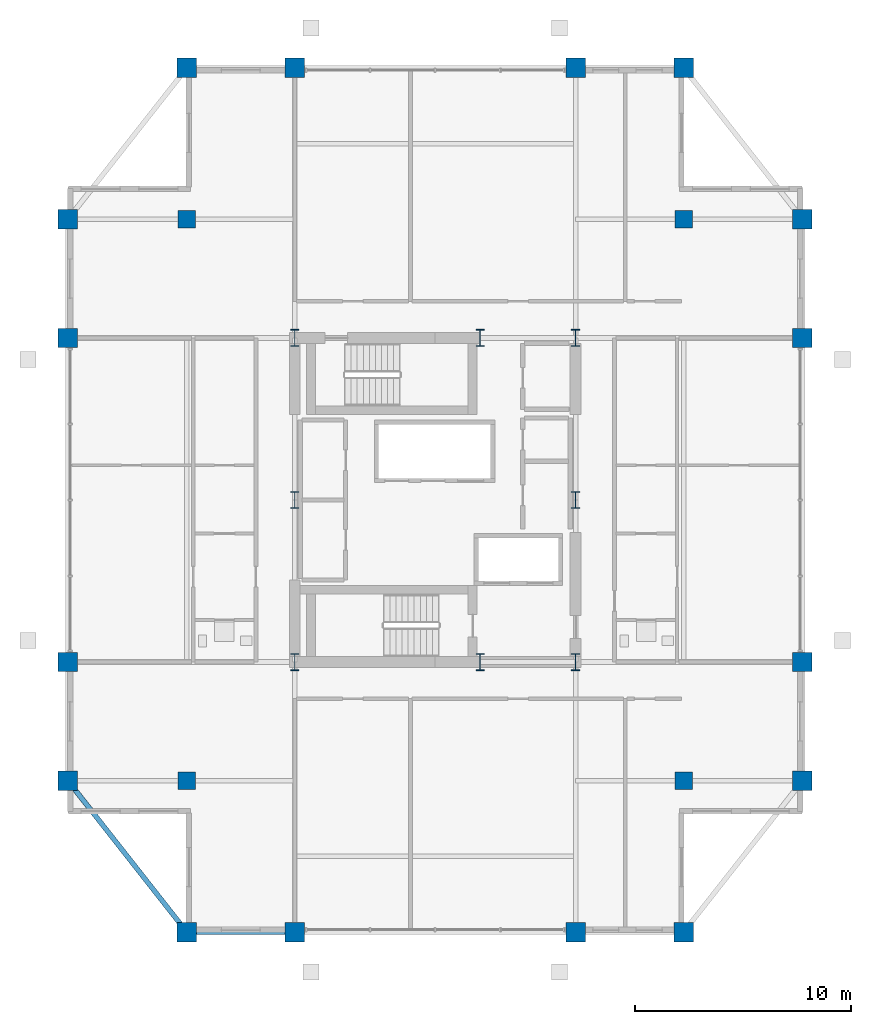
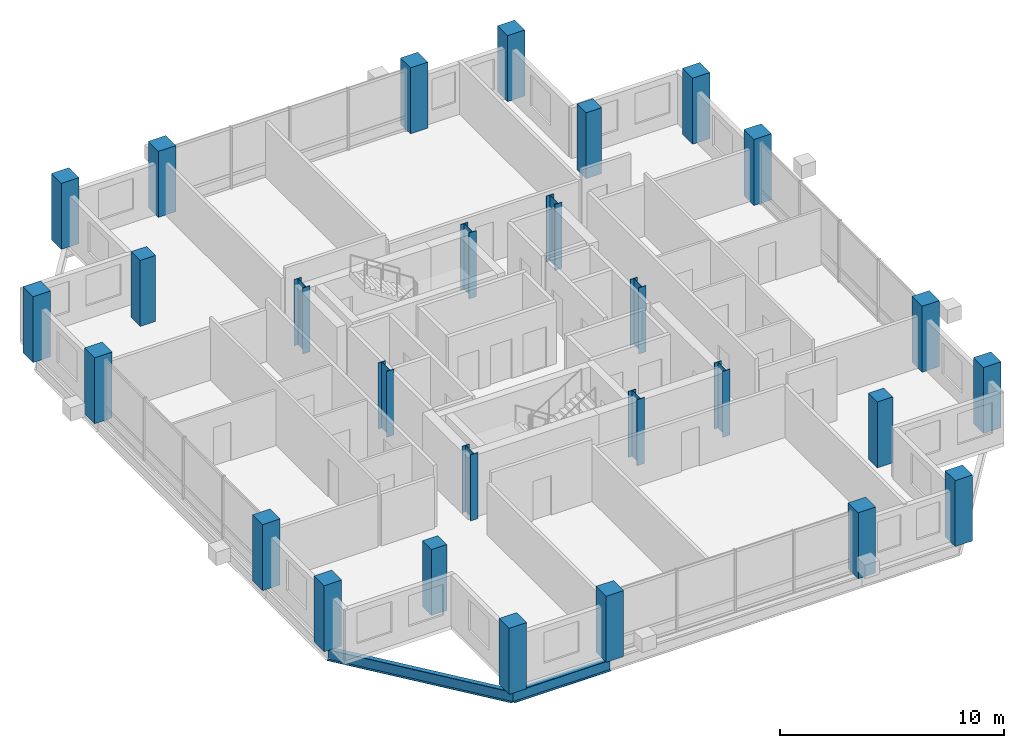
# One storey, part 1 of 21: 28 columns, 2 beams.
"""IFC4 building model written with IfcOpenShell, lengths in metres."""

from ifc_helpers import new_model, si_unit, direction, frame, origin, origin_2d, place, context, subcontext, project, spatial, rectangle, i_section, extrude, material, material_profile, profile_set, type_object, element, save


model = new_model("IFC4")

# Units and contexts
model_context = context("Model", 3, precision=1e-05, world=origin(), true_north=direction((0.0, 1.0)))
body_context = subcontext(model_context, "Body", "Model", "MODEL_VIEW")
ifc_project = project(units=[si_unit("LENGTHUNIT", "METRE"), si_unit("AREAUNIT", "SQUARE_METRE"), si_unit("VOLUMEUNIT", "CUBIC_METRE"), si_unit("PLANEANGLEUNIT", "RADIAN"), si_unit("MASSUNIT", "GRAM", prefix="KILO")], contexts=[model_context])

# Site, building, storey
site_placement = place(None, origin())
site = spatial("IfcSite", under=ifc_project, at=site_placement, CompositionType="ELEMENT")
building_placement = place(site_placement, origin())
building = spatial("IfcBuilding", under=site, at=building_placement, Name="Barlavira Tower and Art Museum", CompositionType="ELEMENT")
storey_placement = place(building_placement, frame((0.0, 0.0, 287.10009765625)))
storey = spatial("IfcBuildingStorey", under=building, at=storey_placement, Name="L75", CompositionType="ELEMENT", Elevation=287.10009765625)

# Columns
ifc_material_1 = material(Name="Steel S355", Category="steel")
ifc_material_profile_1 = material_profile(ifc_material_1, i_section(OverallWidth=0.382080078125, OverallDepth=0.785888671875, WebThickness=0.02001953125, FlangeThickness=0.032958984375, at=origin_2d()), Name="W760x314.0")
ifc_profile_set_1 = profile_set([ifc_material_profile_1], Name="Steel S355")
column_type_1 = type_object("IfcColumnType", Name="Core Composite Column W760x314 Steel S355", PredefinedType="COLUMN", material=ifc_profile_set_1)
for number, where, z_axis, x_axis, name in (
    (1, (-6.5, -7.5, 0.0), (0.0, 0.0, 1.0), (1.0, 0.0, 0.0), "L75 Column CC-L75-C1"),
    (2, (2.080078125, -7.5, 0.0), (0.0, 0.0, 1.0), (1.0, 0.0, 0.0), "L75 Column CC-L75-C2"),
    (3, (6.5, -7.5, 0.0), (0.0, 0.0, 1.0), (1.0, 0.0, 0.0), "L75 Column CC-L75-C3"),
    (4, (-6.5, 0.0, 0.0), (0.0, 0.0, 1.0), (1.0, 0.0, 0.0), "L75 Column CC-L75-C4"),
    (5, (6.5, 0.0, 0.0), (0.0, 0.0, 1.0), (1.0, 0.0, 0.0), "L75 Column CC-L75-C5"),
    (6, (-6.5, 7.5, 0.0), (0.0, 0.0, 1.0), (1.0, 0.0, 0.0), "L75 Column CC-L75-C6"),
    (7, (2.080078125, 7.5, 0.0), (0.0, 0.0, 1.0), (1.0, 0.0, 0.0), "L75 Column CC-L75-C7"),
    (8, (6.5, 7.5, 0.0), (0.0, 0.0, 1.0), (1.0, 0.0, 0.0), "L75 Column CC-L75-C8"),
):
    element("IfcColumn", number, at=place(storey_placement, frame(where, z_axis=z_axis, x_axis=x_axis)), inside=storey, type_object=column_type_1, Name=name, PredefinedType="COLUMN", context=body_context, shape_type="SweptSolid", body=[
        extrude(i_section(OverallWidth=0.382080078125, OverallDepth=0.785888671875, WebThickness=0.02001953125, FlangeThickness=0.032958984375, at=origin_2d()), origin(), (0.0, 0.0, 1.0), 3.599853515625),
    ])
ifc_material_2 = material(Name="Concrete C50", Category="concrete")
ifc_material_profile_2 = material_profile(ifc_material_2, rectangle(XDim=0.89990234375, YDim=0.89990234375, at=origin_2d()), Name="RC-COL 900x900")
ifc_profile_set_2 = profile_set([ifc_material_profile_2], Name="Concrete C50")
column_type_2 = type_object("IfcColumnType", Name="Perimeter Mega Column 900x900 Concrete C50", PredefinedType="USERDEFINED", material=ifc_profile_set_2)
for number, where, z_axis, x_axis, name in (
    (9, (-11.5, -20.0, 0.0), (0.0, 0.0, 1.0), (1.0, 0.0, 0.0), "L75 Column MC-L75-M01"),
    (10, (-6.5, -20.0, 0.0), (0.0, 0.0, 1.0), (1.0, 0.0, 0.0), "L75 Column MC-L75-M02"),
    (11, (6.5, -20.0, 0.0), (0.0, 0.0, 1.0), (1.0, 0.0, 0.0), "L75 Column MC-L75-M03"),
    (12, (11.5, -20.0, 0.0), (0.0, 0.0, 1.0), (1.0, 0.0, 0.0), "L75 Column MC-L75-M04"),
    (13, (17.0, -13.0, 0.0), (0.0, 0.0, 1.0), (1.0, 0.0, 0.0), "L75 Column MC-L75-M05"),
    (14, (17.0, -7.5, 0.0), (0.0, 0.0, 1.0), (1.0, 0.0, 0.0), "L75 Column MC-L75-M06"),
    (15, (17.0, 7.5, 0.0), (0.0, 0.0, 1.0), (1.0, 0.0, 0.0), "L75 Column MC-L75-M07"),
    (16, (17.0, 13.0, 0.0), (0.0, 0.0, 1.0), (1.0, 0.0, 0.0), "L75 Column MC-L75-M08"),
    (17, (11.5, 20.0, 0.0), (0.0, 0.0, 1.0), (1.0, 0.0, 0.0), "L75 Column MC-L75-M09"),
    (18, (6.5, 20.0, 0.0), (0.0, 0.0, 1.0), (1.0, 0.0, 0.0), "L75 Column MC-L75-M10"),
    (19, (-6.5, 20.0, 0.0), (0.0, 0.0, 1.0), (1.0, 0.0, 0.0), "L75 Column MC-L75-M11"),
    (20, (-11.5, 20.0, 0.0), (0.0, 0.0, 1.0), (1.0, 0.0, 0.0), "L75 Column MC-L75-M12"),
    (21, (-17.0, 13.0, 0.0), (0.0, 0.0, 1.0), (1.0, 0.0, 0.0), "L75 Column MC-L75-M13"),
    (22, (-17.0, 7.5, 0.0), (0.0, 0.0, 1.0), (1.0, 0.0, 0.0), "L75 Column MC-L75-M14"),
    (23, (-17.0, -7.5, 0.0), (0.0, 0.0, 1.0), (1.0, 0.0, 0.0), "L75 Column MC-L75-M15"),
    (24, (-17.0, -13.0, 0.0), (0.0, 0.0, 1.0), (1.0, 0.0, 0.0), "L75 Column MC-L75-M16"),
):
    element("IfcColumn", number, at=place(storey_placement, frame(where, z_axis=z_axis, x_axis=x_axis)), inside=storey, type_object=column_type_2, Name=name, ObjectType="MEGA COLUMN", PredefinedType="USERDEFINED", context=body_context, shape_type="SweptSolid", body=[
        extrude(rectangle(XDim=0.89990234375, YDim=0.89990234375, at=origin_2d()), origin(), (0.0, 0.0, 1.0), 3.599853515625),
    ])
ifc_material_profile_3 = material_profile(ifc_material_2, rectangle(XDim=0.800048828125, YDim=0.800048828125, at=origin_2d()), Name="RC-COL 800x800")
ifc_profile_set_3 = profile_set([ifc_material_profile_3], Name="Concrete C50")
column_type_3 = type_object("IfcColumnType", Name="Podium Frame Column 800x800 Concrete C50", PredefinedType="COLUMN", material=ifc_profile_set_3)
for number, where, z_axis, x_axis, name in (
    (25, (-11.5, -13.0, 0.0), (0.0, 0.0, 1.0), (1.0, 0.0, 0.0), "L75 Column CI-L75-I1"),
    (26, (11.5, -13.0, 0.0), (0.0, 0.0, 1.0), (1.0, 0.0, 0.0), "L75 Column CI-L75-I2"),
    (27, (-11.5, 13.0, 0.0), (0.0, 0.0, 1.0), (1.0, 0.0, 0.0), "L75 Column CI-L75-I3"),
    (28, (11.5, 13.0, 0.0), (0.0, 0.0, 1.0), (1.0, 0.0, 0.0), "L75 Column CI-L75-I4"),
):
    element("IfcColumn", number, at=place(storey_placement, frame(where, z_axis=z_axis, x_axis=x_axis)), inside=storey, type_object=column_type_3, Name=name, PredefinedType="COLUMN", context=body_context, shape_type="SweptSolid", body=[
        extrude(rectangle(XDim=0.800048828125, YDim=0.800048828125, at=origin_2d()), origin(), (0.0, 0.0, 1.0), 3.599853515625),
    ])

# Beams
ifc_material_profile_4 = material_profile(ifc_material_1, i_section(OverallWidth=0.22998046875, OverallDepth=0.616943359375, WebThickness=0.01318359375, FlangeThickness=0.022216796875, at=origin_2d()), Name="W610x140.0")
ifc_profile_set_4 = profile_set([ifc_material_profile_4], Name="Steel S355")
beam_type = type_object("IfcBeamType", Name="Upper Shaft Spandrel Edge Beam W610x140 Steel S355", PredefinedType="SPANDREL", material=ifc_profile_set_4)
beam_1_placement = place(storey_placement, frame((-11.5, -20.0, -0.528564453125), z_axis=(1.0, 0.0, 0.0), x_axis=(0.0, 1.0, 0.0)))
element("IfcBeam", 29, at=beam_1_placement, inside=storey, type_object=beam_type, Name="L75 Spandrel 1", PredefinedType="SPANDREL", context=body_context, shape_type="SweptSolid", body=[
    extrude(i_section(OverallWidth=0.22998046875, OverallDepth=0.616943359375, WebThickness=0.01318359375, FlangeThickness=0.022216796875, at=origin_2d()), origin(), (0.0, 0.0, 1.0), 5.0),
])
beam_2_placement = place(storey_placement, frame((-17.0, -13.0, -0.528564453125), z_axis=(0.617821551932, -0.786318338822, 0.0), x_axis=(0.786318338822, 0.617821551932, 0.0)))
element("IfcBeam", 30, at=beam_2_placement, inside=storey, type_object=beam_type, Name="L75 Spandrel 16", PredefinedType="SPANDREL", context=body_context, shape_type="SweptSolid", body=[
    extrude(i_section(OverallWidth=0.22998046875, OverallDepth=0.616943359375, WebThickness=0.01318359375, FlangeThickness=0.022216796875, at=origin_2d()), origin(), (0.0, 0.0, 1.0), 8.90234375),
])

save(model, "model.ifc")
